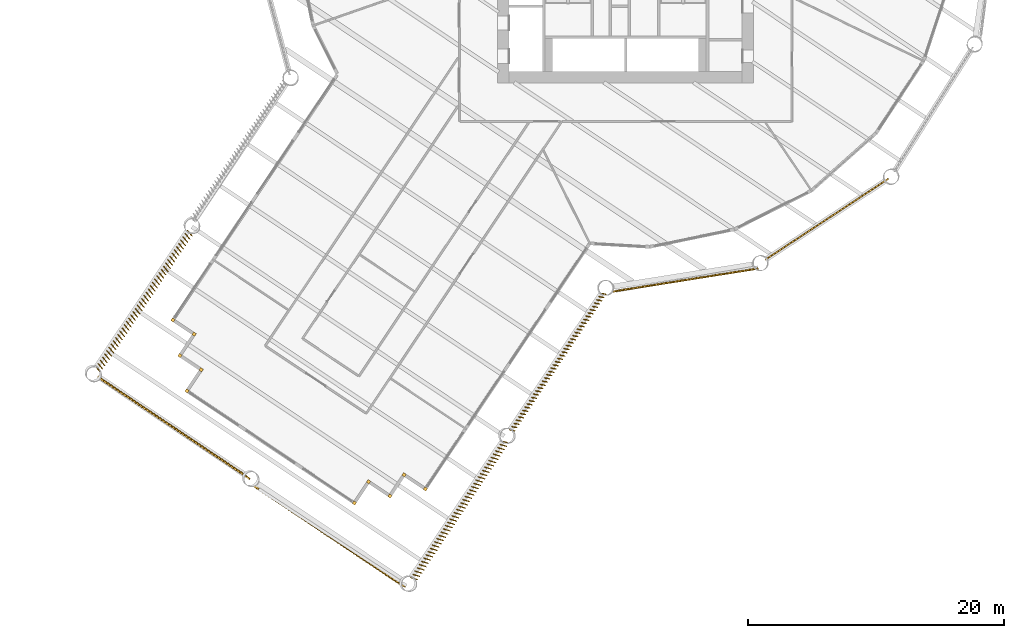
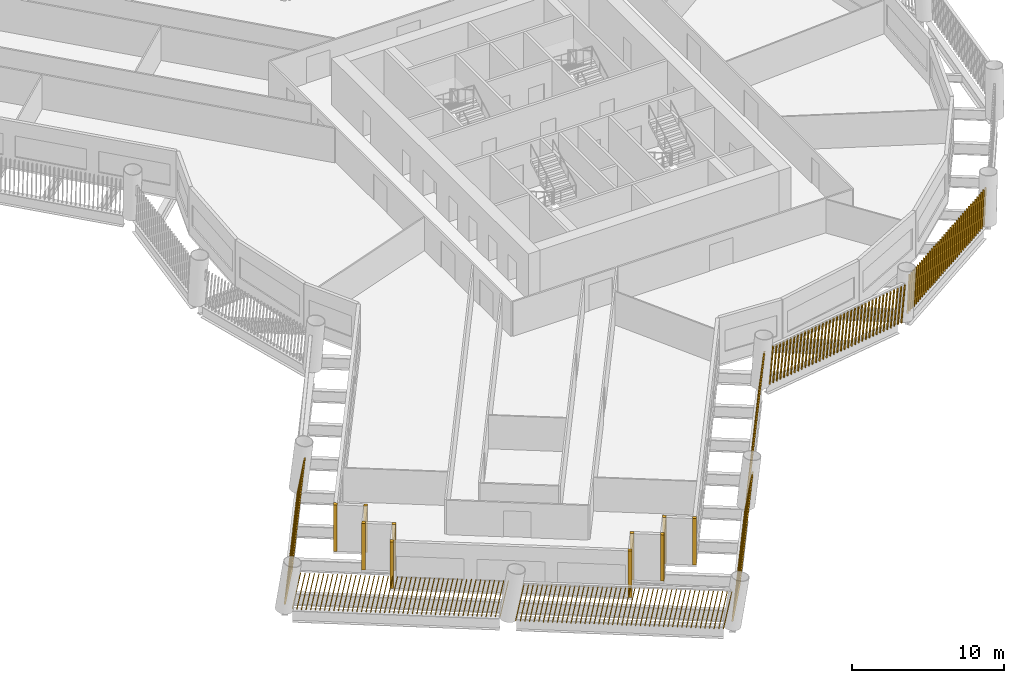
# One storey, part 11 of 15: 17 shading devices.
"""IFC4 building model written with IfcOpenShell, lengths in metres."""

from ifc_helpers import new_model, si_unit, direction, frame, frame_2d, origin, origin_2d, place, context, subcontext, project, spatial, rectangle, composite_profile, extrude, material, type_object, element, save


model = new_model("IFC4")

# Units and contexts
model_context = context("Model", 3, precision=1e-05, world=origin(), true_north=direction((0.0, 1.0)))
body_context = subcontext(model_context, "Body", "Model", "MODEL_VIEW")
ifc_project = project(units=[si_unit("LENGTHUNIT", "METRE"), si_unit("AREAUNIT", "SQUARE_METRE"), si_unit("VOLUMEUNIT", "CUBIC_METRE"), si_unit("PLANEANGLEUNIT", "RADIAN"), si_unit("MASSUNIT", "GRAM", prefix="KILO")], contexts=[model_context])

# Site, building, storey
site_placement = place(None, origin())
site = spatial("IfcSite", under=ifc_project, at=site_placement, CompositionType="ELEMENT")
building_placement = place(site_placement, origin())
building = spatial("IfcBuilding", under=site, at=building_placement, Name="Tarsis Ring Headquarters", CompositionType="ELEMENT")
storey_placement = place(building_placement, frame((0.0, 0.0, 59.5)))
storey = spatial("IfcBuildingStorey", under=building, at=storey_placement, Name="L12", CompositionType="ELEMENT", Elevation=59.5)

# Shading devices
ifc_material = material(Name="Terracotta baguette", Category="masonry")
shading_device_type_1 = type_object("IfcShadingDeviceType", Name="Terracotta baguette screen", PredefinedType="USERDEFINED", material=ifc_material)
shading_device_1_placement = place(storey_placement, frame((-34.21533203125, -24.505859375, 0.0), z_axis=(0.0, 0.0, 1.0), x_axis=(-0.556304047533, -0.830983783375, 0.0)))
element("IfcShadingDevice", 1, at=shading_device_1_placement, inside=storey, type_object=shading_device_type_1, Name="Baguette screen L12-02", ObjectType="Terracotta baguette screen", PredefinedType="USERDEFINED", context=body_context, shape_type="SweptSolid", body=[
    extrude(composite_profile([rectangle(XDim=0.06005859375, YDim=0.1201171875, at=frame_2d((0.030029296875, 0.0))), rectangle(XDim=0.06005859375, YDim=0.1201171875, at=frame_2d((0.335693359375, 0.0))), rectangle(XDim=0.06005859375, YDim=0.1201171875, at=frame_2d((0.6416015625, 0.0))), rectangle(XDim=0.06005859375, YDim=0.1201171875, at=frame_2d((0.947265625, 0.0))), rectangle(XDim=0.06005859375, YDim=0.1201171875, at=frame_2d((1.253173828125, 0.0))), rectangle(XDim=0.06005859375, YDim=0.1201171875, at=frame_2d((1.558837890625, 0.0))), rectangle(XDim=0.06005859375, YDim=0.1201171875, at=frame_2d((1.864501953125, 0.0))), rectangle(XDim=0.06005859375, YDim=0.1201171875, at=frame_2d((2.17041015625, 0.0))), rectangle(XDim=0.06005859375, YDim=0.1201171875, at=frame_2d((2.47607421875, 0.0))), rectangle(XDim=0.06005859375, YDim=0.1201171875, at=frame_2d((2.781982421875, 0.0))), rectangle(XDim=0.06005859375, YDim=0.1201171875, at=frame_2d((3.087646484375, 0.0))), rectangle(XDim=0.06005859375, YDim=0.1201171875, at=frame_2d((3.393310546875, 0.0))), rectangle(XDim=0.06005859375, YDim=0.1201171875, at=frame_2d((3.69921875, 0.0))), rectangle(XDim=0.06005859375, YDim=0.1201171875, at=frame_2d((4.0048828125, 0.0))), rectangle(XDim=0.06005859375, YDim=0.1201171875, at=frame_2d((4.310791015625, 0.0))), rectangle(XDim=0.06005859375, YDim=0.1201171875, at=frame_2d((4.616455078125, 0.0))), rectangle(XDim=0.06005859375, YDim=0.1201171875, at=frame_2d((4.922119140625, 0.0))), rectangle(XDim=0.06005859375, YDim=0.1201171875, at=frame_2d((5.22802734375, 0.0))), rectangle(XDim=0.06005859375, YDim=0.1201171875, at=frame_2d((5.53369140625, 0.0))), rectangle(XDim=0.06005859375, YDim=0.1201171875, at=frame_2d((5.839599609375, 0.0))), rectangle(XDim=0.06005859375, YDim=0.1201171875, at=frame_2d((6.145263671875, 0.0))), rectangle(XDim=0.06005859375, YDim=0.1201171875, at=frame_2d((6.451171875, 0.0))), rectangle(XDim=0.06005859375, YDim=0.1201171875, at=frame_2d((6.7568359375, 0.0))), rectangle(XDim=0.06005859375, YDim=0.1201171875, at=frame_2d((7.0625, 0.0))), rectangle(XDim=0.06005859375, YDim=0.1201171875, at=frame_2d((7.368408203125, 0.0))), rectangle(XDim=0.06005859375, YDim=0.1201171875, at=frame_2d((7.674072265625, 0.0))), rectangle(XDim=0.06005859375, YDim=0.1201171875, at=frame_2d((7.97998046875, 0.0))), rectangle(XDim=0.06005859375, YDim=0.1201171875, at=frame_2d((8.28564453125, 0.0))), rectangle(XDim=0.06005859375, YDim=0.1201171875, at=frame_2d((8.59130859375, 0.0))), rectangle(XDim=0.06005859375, YDim=0.1201171875, at=frame_2d((8.897216796875, 0.0))), rectangle(XDim=0.06005859375, YDim=0.1201171875, at=frame_2d((9.202880859375, 0.0))), rectangle(XDim=0.06005859375, YDim=0.1201171875, at=frame_2d((9.5087890625, 0.0))), rectangle(XDim=0.06005859375, YDim=0.1201171875, at=frame_2d((9.814453125, 0.0))), rectangle(XDim=0.06005859375, YDim=0.1201171875, at=frame_2d((10.1201171875, 0.0))), rectangle(XDim=0.06005859375, YDim=0.1201171875, at=frame_2d((10.426025390625, 0.0))), rectangle(XDim=0.06005859375, YDim=0.1201171875, at=frame_2d((10.731689453125, 0.0))), rectangle(XDim=0.06005859375, YDim=0.1201171875, at=frame_2d((11.03759765625, 0.0))), rectangle(XDim=0.06005859375, YDim=0.1201171875, at=frame_2d((11.34326171875, 0.0))), rectangle(XDim=0.06005859375, YDim=0.1201171875, at=frame_2d((11.64892578125, 0.0))), rectangle(XDim=0.06005859375, YDim=0.1201171875, at=frame_2d((11.954833984375, 0.0))), rectangle(XDim=0.06005859375, YDim=0.1201171875, at=frame_2d((12.260498046875, 0.0))), rectangle(XDim=0.06005859375, YDim=0.1201171875, at=frame_2d((12.56640625, 0.0))), rectangle(XDim=0.06005859375, YDim=0.1201171875, at=frame_2d((12.8720703125, 0.0)))]), origin(), (0.050899099406, 0.160555858663, 0.985713496879), 2.995361328125),
])
shading_device_2_placement = place(storey_placement, frame((-41.25537109375, -35.9208984375, 0.0), z_axis=(0.0, 0.0, 1.0), x_axis=(0.830977443609, -0.556302521008, 0.0)))
element("IfcShadingDevice", 2, at=shading_device_2_placement, inside=storey, type_object=shading_device_type_1, Name="Baguette screen L12-03", ObjectType="Terracotta baguette screen", PredefinedType="USERDEFINED", context=body_context, shape_type="SweptSolid", body=[
    extrude(composite_profile([rectangle(XDim=0.06005859375, YDim=0.1201171875, at=frame_2d((0.030029296875, 0.0))), rectangle(XDim=0.06005859375, YDim=0.1201171875, at=frame_2d((0.33544921875, 0.0))), rectangle(XDim=0.06005859375, YDim=0.1201171875, at=frame_2d((0.640625, 0.0))), rectangle(XDim=0.06005859375, YDim=0.1201171875, at=frame_2d((0.946044921875, 0.0))), rectangle(XDim=0.06005859375, YDim=0.1201171875, at=frame_2d((1.25146484375, 0.0))), rectangle(XDim=0.06005859375, YDim=0.1201171875, at=frame_2d((1.556640625, 0.0))), rectangle(XDim=0.06005859375, YDim=0.1201171875, at=frame_2d((1.862060546875, 0.0))), rectangle(XDim=0.06005859375, YDim=0.1201171875, at=frame_2d((2.16748046875, 0.0))), rectangle(XDim=0.06005859375, YDim=0.1201171875, at=frame_2d((2.47265625, 0.0))), rectangle(XDim=0.06005859375, YDim=0.1201171875, at=frame_2d((2.778076171875, 0.0))), rectangle(XDim=0.06005859375, YDim=0.1201171875, at=frame_2d((3.08349609375, 0.0))), rectangle(XDim=0.06005859375, YDim=0.1201171875, at=frame_2d((3.388671875, 0.0))), rectangle(XDim=0.06005859375, YDim=0.1201171875, at=frame_2d((3.694091796875, 0.0))), rectangle(XDim=0.06005859375, YDim=0.1201171875, at=frame_2d((3.99951171875, 0.0))), rectangle(XDim=0.06005859375, YDim=0.1201171875, at=frame_2d((4.3046875, 0.0))), rectangle(XDim=0.06005859375, YDim=0.1201171875, at=frame_2d((4.610107421875, 0.0))), rectangle(XDim=0.06005859375, YDim=0.1201171875, at=frame_2d((4.91552734375, 0.0))), rectangle(XDim=0.06005859375, YDim=0.1201171875, at=frame_2d((5.220703125, 0.0))), rectangle(XDim=0.06005859375, YDim=0.1201171875, at=frame_2d((5.526123046875, 0.0))), rectangle(XDim=0.06005859375, YDim=0.1201171875, at=frame_2d((5.83154296875, 0.0))), rectangle(XDim=0.06005859375, YDim=0.1201171875, at=frame_2d((6.13671875, 0.0))), rectangle(XDim=0.06005859375, YDim=0.1201171875, at=frame_2d((6.442138671875, 0.0))), rectangle(XDim=0.06005859375, YDim=0.1201171875, at=frame_2d((6.74755859375, 0.0))), rectangle(XDim=0.06005859375, YDim=0.1201171875, at=frame_2d((7.052734375, 0.0))), rectangle(XDim=0.06005859375, YDim=0.1201171875, at=frame_2d((7.358154296875, 0.0))), rectangle(XDim=0.06005859375, YDim=0.1201171875, at=frame_2d((7.66357421875, 0.0))), rectangle(XDim=0.06005859375, YDim=0.1201171875, at=frame_2d((7.96875, 0.0))), rectangle(XDim=0.06005859375, YDim=0.1201171875, at=frame_2d((8.274169921875, 0.0))), rectangle(XDim=0.06005859375, YDim=0.1201171875, at=frame_2d((8.57958984375, 0.0))), rectangle(XDim=0.06005859375, YDim=0.1201171875, at=frame_2d((8.884765625, 0.0))), rectangle(XDim=0.06005859375, YDim=0.1201171875, at=frame_2d((9.190185546875, 0.0))), rectangle(XDim=0.06005859375, YDim=0.1201171875, at=frame_2d((9.49560546875, 0.0))), rectangle(XDim=0.06005859375, YDim=0.1201171875, at=frame_2d((9.80078125, 0.0))), rectangle(XDim=0.06005859375, YDim=0.1201171875, at=frame_2d((10.106201171875, 0.0))), rectangle(XDim=0.06005859375, YDim=0.1201171875, at=frame_2d((10.41162109375, 0.0))), rectangle(XDim=0.06005859375, YDim=0.1201171875, at=frame_2d((10.716796875, 0.0))), rectangle(XDim=0.06005859375, YDim=0.1201171875, at=frame_2d((11.022216796875, 0.0))), rectangle(XDim=0.06005859375, YDim=0.1201171875, at=frame_2d((11.32763671875, 0.0))), rectangle(XDim=0.06005859375, YDim=0.1201171875, at=frame_2d((11.6328125, 0.0))), rectangle(XDim=0.06005859375, YDim=0.1201171875, at=frame_2d((11.938232421875, 0.0))), rectangle(XDim=0.06005859375, YDim=0.1201171875, at=frame_2d((12.24365234375, 0.0))), rectangle(XDim=0.06005859375, YDim=0.1201171875, at=frame_2d((12.548828125, 0.0))), rectangle(XDim=0.06005859375, YDim=0.1201171875, at=frame_2d((12.854248046875, 0.0))), rectangle(XDim=0.06005859375, YDim=0.1201171875, at=frame_2d((13.15966796875, 0.0))), rectangle(XDim=0.06005859375, YDim=0.1201171875, at=frame_2d((13.46484375, 0.0))), rectangle(XDim=0.06005859375, YDim=0.1201171875, at=frame_2d((13.770263671875, 0.0)))]), origin(), (0.184134140034, -0.024822278892, 0.982587641355), 3.0048828125),
])
shading_device_3_placement = place(storey_placement, frame((-29.16552734375, -44.4658203125, 0.0), z_axis=(0.0, 0.0, 1.0), x_axis=(0.83099214493, -0.55629467129, 0.0)))
element("IfcShadingDevice", 3, at=shading_device_3_placement, inside=storey, type_object=shading_device_type_1, Name="Baguette screen L12-04", ObjectType="Terracotta baguette screen", PredefinedType="USERDEFINED", context=body_context, shape_type="SweptSolid", body=[
    extrude(composite_profile([rectangle(XDim=0.06005859375, YDim=0.1201171875, at=frame_2d((0.030029296875, 0.0))), rectangle(XDim=0.06005859375, YDim=0.1201171875, at=frame_2d((0.33544921875, 0.0))), rectangle(XDim=0.06005859375, YDim=0.1201171875, at=frame_2d((0.640625, 0.0))), rectangle(XDim=0.06005859375, YDim=0.1201171875, at=frame_2d((0.946044921875, 0.0))), rectangle(XDim=0.06005859375, YDim=0.1201171875, at=frame_2d((1.25146484375, 0.0))), rectangle(XDim=0.06005859375, YDim=0.1201171875, at=frame_2d((1.556640625, 0.0))), rectangle(XDim=0.06005859375, YDim=0.1201171875, at=frame_2d((1.862060546875, 0.0))), rectangle(XDim=0.06005859375, YDim=0.1201171875, at=frame_2d((2.16748046875, 0.0))), rectangle(XDim=0.06005859375, YDim=0.1201171875, at=frame_2d((2.47265625, 0.0))), rectangle(XDim=0.06005859375, YDim=0.1201171875, at=frame_2d((2.778076171875, 0.0))), rectangle(XDim=0.06005859375, YDim=0.1201171875, at=frame_2d((3.08349609375, 0.0))), rectangle(XDim=0.06005859375, YDim=0.1201171875, at=frame_2d((3.388671875, 0.0))), rectangle(XDim=0.06005859375, YDim=0.1201171875, at=frame_2d((3.694091796875, 0.0))), rectangle(XDim=0.06005859375, YDim=0.1201171875, at=frame_2d((3.99951171875, 0.0))), rectangle(XDim=0.06005859375, YDim=0.1201171875, at=frame_2d((4.3046875, 0.0))), rectangle(XDim=0.06005859375, YDim=0.1201171875, at=frame_2d((4.610107421875, 0.0))), rectangle(XDim=0.06005859375, YDim=0.1201171875, at=frame_2d((4.91552734375, 0.0))), rectangle(XDim=0.06005859375, YDim=0.1201171875, at=frame_2d((5.220703125, 0.0))), rectangle(XDim=0.06005859375, YDim=0.1201171875, at=frame_2d((5.526123046875, 0.0))), rectangle(XDim=0.06005859375, YDim=0.1201171875, at=frame_2d((5.83154296875, 0.0))), rectangle(XDim=0.06005859375, YDim=0.1201171875, at=frame_2d((6.13671875, 0.0))), rectangle(XDim=0.06005859375, YDim=0.1201171875, at=frame_2d((6.442138671875, 0.0))), rectangle(XDim=0.06005859375, YDim=0.1201171875, at=frame_2d((6.74755859375, 0.0))), rectangle(XDim=0.06005859375, YDim=0.1201171875, at=frame_2d((7.052734375, 0.0))), rectangle(XDim=0.06005859375, YDim=0.1201171875, at=frame_2d((7.358154296875, 0.0))), rectangle(XDim=0.06005859375, YDim=0.1201171875, at=frame_2d((7.66357421875, 0.0))), rectangle(XDim=0.06005859375, YDim=0.1201171875, at=frame_2d((7.96875, 0.0))), rectangle(XDim=0.06005859375, YDim=0.1201171875, at=frame_2d((8.274169921875, 0.0))), rectangle(XDim=0.06005859375, YDim=0.1201171875, at=frame_2d((8.57958984375, 0.0))), rectangle(XDim=0.06005859375, YDim=0.1201171875, at=frame_2d((8.884765625, 0.0))), rectangle(XDim=0.06005859375, YDim=0.1201171875, at=frame_2d((9.190185546875, 0.0))), rectangle(XDim=0.06005859375, YDim=0.1201171875, at=frame_2d((9.49560546875, 0.0))), rectangle(XDim=0.06005859375, YDim=0.1201171875, at=frame_2d((9.80078125, 0.0))), rectangle(XDim=0.06005859375, YDim=0.1201171875, at=frame_2d((10.106201171875, 0.0))), rectangle(XDim=0.06005859375, YDim=0.1201171875, at=frame_2d((10.41162109375, 0.0))), rectangle(XDim=0.06005859375, YDim=0.1201171875, at=frame_2d((10.716796875, 0.0))), rectangle(XDim=0.06005859375, YDim=0.1201171875, at=frame_2d((11.022216796875, 0.0))), rectangle(XDim=0.06005859375, YDim=0.1201171875, at=frame_2d((11.32763671875, 0.0))), rectangle(XDim=0.06005859375, YDim=0.1201171875, at=frame_2d((11.6328125, 0.0))), rectangle(XDim=0.06005859375, YDim=0.1201171875, at=frame_2d((11.938232421875, 0.0))), rectangle(XDim=0.06005859375, YDim=0.1201171875, at=frame_2d((12.24365234375, 0.0))), rectangle(XDim=0.06005859375, YDim=0.1201171875, at=frame_2d((12.548828125, 0.0))), rectangle(XDim=0.06005859375, YDim=0.1201171875, at=frame_2d((12.854248046875, 0.0))), rectangle(XDim=0.06005859375, YDim=0.1201171875, at=frame_2d((13.15966796875, 0.0))), rectangle(XDim=0.06005859375, YDim=0.1201171875, at=frame_2d((13.46484375, 0.0))), rectangle(XDim=0.06005859375, YDim=0.1201171875, at=frame_2d((13.770263671875, 0.0)))]), origin(), (0.185127609381, 0.026750694762, 0.982350328841), 3.005615234375),
])
shading_device_4_placement = place(storey_placement, frame((-16.795654296875, -51.693603515625, 0.0), z_axis=(0.0, 0.0, 1.0), x_axis=(0.556304047533, 0.830983783375, 0.0)))
element("IfcShadingDevice", 4, at=shading_device_4_placement, inside=storey, type_object=shading_device_type_1, Name="Baguette screen L12-05", ObjectType="Terracotta baguette screen", PredefinedType="USERDEFINED", context=body_context, shape_type="SweptSolid", body=[
    extrude(composite_profile([rectangle(XDim=0.06005859375, YDim=0.1201171875, at=frame_2d((0.030029296875, 0.0))), rectangle(XDim=0.06005859375, YDim=0.1201171875, at=frame_2d((0.335693359375, 0.0))), rectangle(XDim=0.06005859375, YDim=0.1201171875, at=frame_2d((0.6416015625, 0.0))), rectangle(XDim=0.06005859375, YDim=0.1201171875, at=frame_2d((0.947265625, 0.0))), rectangle(XDim=0.06005859375, YDim=0.1201171875, at=frame_2d((1.253173828125, 0.0))), rectangle(XDim=0.06005859375, YDim=0.1201171875, at=frame_2d((1.558837890625, 0.0))), rectangle(XDim=0.06005859375, YDim=0.1201171875, at=frame_2d((1.864501953125, 0.0))), rectangle(XDim=0.06005859375, YDim=0.1201171875, at=frame_2d((2.17041015625, 0.0))), rectangle(XDim=0.06005859375, YDim=0.1201171875, at=frame_2d((2.47607421875, 0.0))), rectangle(XDim=0.06005859375, YDim=0.1201171875, at=frame_2d((2.781982421875, 0.0))), rectangle(XDim=0.06005859375, YDim=0.1201171875, at=frame_2d((3.087646484375, 0.0))), rectangle(XDim=0.06005859375, YDim=0.1201171875, at=frame_2d((3.393310546875, 0.0))), rectangle(XDim=0.06005859375, YDim=0.1201171875, at=frame_2d((3.69921875, 0.0))), rectangle(XDim=0.06005859375, YDim=0.1201171875, at=frame_2d((4.0048828125, 0.0))), rectangle(XDim=0.06005859375, YDim=0.1201171875, at=frame_2d((4.310791015625, 0.0))), rectangle(XDim=0.06005859375, YDim=0.1201171875, at=frame_2d((4.616455078125, 0.0))), rectangle(XDim=0.06005859375, YDim=0.1201171875, at=frame_2d((4.922119140625, 0.0))), rectangle(XDim=0.06005859375, YDim=0.1201171875, at=frame_2d((5.22802734375, 0.0))), rectangle(XDim=0.06005859375, YDim=0.1201171875, at=frame_2d((5.53369140625, 0.0))), rectangle(XDim=0.06005859375, YDim=0.1201171875, at=frame_2d((5.839599609375, 0.0))), rectangle(XDim=0.06005859375, YDim=0.1201171875, at=frame_2d((6.145263671875, 0.0))), rectangle(XDim=0.06005859375, YDim=0.1201171875, at=frame_2d((6.451171875, 0.0))), rectangle(XDim=0.06005859375, YDim=0.1201171875, at=frame_2d((6.7568359375, 0.0))), rectangle(XDim=0.06005859375, YDim=0.1201171875, at=frame_2d((7.0625, 0.0))), rectangle(XDim=0.06005859375, YDim=0.1201171875, at=frame_2d((7.368408203125, 0.0))), rectangle(XDim=0.06005859375, YDim=0.1201171875, at=frame_2d((7.674072265625, 0.0))), rectangle(XDim=0.06005859375, YDim=0.1201171875, at=frame_2d((7.97998046875, 0.0))), rectangle(XDim=0.06005859375, YDim=0.1201171875, at=frame_2d((8.28564453125, 0.0))), rectangle(XDim=0.06005859375, YDim=0.1201171875, at=frame_2d((8.59130859375, 0.0))), rectangle(XDim=0.06005859375, YDim=0.1201171875, at=frame_2d((8.897216796875, 0.0))), rectangle(XDim=0.06005859375, YDim=0.1201171875, at=frame_2d((9.202880859375, 0.0))), rectangle(XDim=0.06005859375, YDim=0.1201171875, at=frame_2d((9.5087890625, 0.0))), rectangle(XDim=0.06005859375, YDim=0.1201171875, at=frame_2d((9.814453125, 0.0))), rectangle(XDim=0.06005859375, YDim=0.1201171875, at=frame_2d((10.1201171875, 0.0))), rectangle(XDim=0.06005859375, YDim=0.1201171875, at=frame_2d((10.426025390625, 0.0))), rectangle(XDim=0.06005859375, YDim=0.1201171875, at=frame_2d((10.731689453125, 0.0))), rectangle(XDim=0.06005859375, YDim=0.1201171875, at=frame_2d((11.03759765625, 0.0))), rectangle(XDim=0.06005859375, YDim=0.1201171875, at=frame_2d((11.34326171875, 0.0))), rectangle(XDim=0.06005859375, YDim=0.1201171875, at=frame_2d((11.64892578125, 0.0))), rectangle(XDim=0.06005859375, YDim=0.1201171875, at=frame_2d((11.954833984375, 0.0))), rectangle(XDim=0.06005859375, YDim=0.1201171875, at=frame_2d((12.260498046875, 0.0))), rectangle(XDim=0.06005859375, YDim=0.1201171875, at=frame_2d((12.56640625, 0.0))), rectangle(XDim=0.06005859375, YDim=0.1201171875, at=frame_2d((12.8720703125, 0.0)))]), origin(), (0.052580230808, -0.160013309578, 0.985713477683), 2.995361328125),
])
shading_device_5_placement = place(storey_placement, frame((-9.06201171875, -40.14111328125, 0.0), z_axis=(0.0, 0.0, 1.0), x_axis=(0.556304047533, 0.830983783375, 0.0)))
element("IfcShadingDevice", 5, at=shading_device_5_placement, inside=storey, type_object=shading_device_type_1, Name="Baguette screen L12-06", ObjectType="Terracotta baguette screen", PredefinedType="USERDEFINED", context=body_context, shape_type="SweptSolid", body=[
    extrude(composite_profile([rectangle(XDim=0.06005859375, YDim=0.1201171875, at=frame_2d((0.030029296875, 0.0))), rectangle(XDim=0.06005859375, YDim=0.1201171875, at=frame_2d((0.335693359375, 0.0))), rectangle(XDim=0.06005859375, YDim=0.1201171875, at=frame_2d((0.6416015625, 0.0))), rectangle(XDim=0.06005859375, YDim=0.1201171875, at=frame_2d((0.947265625, 0.0))), rectangle(XDim=0.06005859375, YDim=0.1201171875, at=frame_2d((1.253173828125, 0.0))), rectangle(XDim=0.06005859375, YDim=0.1201171875, at=frame_2d((1.558837890625, 0.0))), rectangle(XDim=0.06005859375, YDim=0.1201171875, at=frame_2d((1.864501953125, 0.0))), rectangle(XDim=0.06005859375, YDim=0.1201171875, at=frame_2d((2.17041015625, 0.0))), rectangle(XDim=0.06005859375, YDim=0.1201171875, at=frame_2d((2.47607421875, 0.0))), rectangle(XDim=0.06005859375, YDim=0.1201171875, at=frame_2d((2.781982421875, 0.0))), rectangle(XDim=0.06005859375, YDim=0.1201171875, at=frame_2d((3.087646484375, 0.0))), rectangle(XDim=0.06005859375, YDim=0.1201171875, at=frame_2d((3.393310546875, 0.0))), rectangle(XDim=0.06005859375, YDim=0.1201171875, at=frame_2d((3.69921875, 0.0))), rectangle(XDim=0.06005859375, YDim=0.1201171875, at=frame_2d((4.0048828125, 0.0))), rectangle(XDim=0.06005859375, YDim=0.1201171875, at=frame_2d((4.310791015625, 0.0))), rectangle(XDim=0.06005859375, YDim=0.1201171875, at=frame_2d((4.616455078125, 0.0))), rectangle(XDim=0.06005859375, YDim=0.1201171875, at=frame_2d((4.922119140625, 0.0))), rectangle(XDim=0.06005859375, YDim=0.1201171875, at=frame_2d((5.22802734375, 0.0))), rectangle(XDim=0.06005859375, YDim=0.1201171875, at=frame_2d((5.53369140625, 0.0))), rectangle(XDim=0.06005859375, YDim=0.1201171875, at=frame_2d((5.839599609375, 0.0))), rectangle(XDim=0.06005859375, YDim=0.1201171875, at=frame_2d((6.145263671875, 0.0))), rectangle(XDim=0.06005859375, YDim=0.1201171875, at=frame_2d((6.451171875, 0.0))), rectangle(XDim=0.06005859375, YDim=0.1201171875, at=frame_2d((6.7568359375, 0.0))), rectangle(XDim=0.06005859375, YDim=0.1201171875, at=frame_2d((7.0625, 0.0))), rectangle(XDim=0.06005859375, YDim=0.1201171875, at=frame_2d((7.368408203125, 0.0))), rectangle(XDim=0.06005859375, YDim=0.1201171875, at=frame_2d((7.674072265625, 0.0))), rectangle(XDim=0.06005859375, YDim=0.1201171875, at=frame_2d((7.97998046875, 0.0))), rectangle(XDim=0.06005859375, YDim=0.1201171875, at=frame_2d((8.28564453125, 0.0))), rectangle(XDim=0.06005859375, YDim=0.1201171875, at=frame_2d((8.59130859375, 0.0))), rectangle(XDim=0.06005859375, YDim=0.1201171875, at=frame_2d((8.897216796875, 0.0))), rectangle(XDim=0.06005859375, YDim=0.1201171875, at=frame_2d((9.202880859375, 0.0))), rectangle(XDim=0.06005859375, YDim=0.1201171875, at=frame_2d((9.5087890625, 0.0))), rectangle(XDim=0.06005859375, YDim=0.1201171875, at=frame_2d((9.814453125, 0.0))), rectangle(XDim=0.06005859375, YDim=0.1201171875, at=frame_2d((10.1201171875, 0.0))), rectangle(XDim=0.06005859375, YDim=0.1201171875, at=frame_2d((10.426025390625, 0.0))), rectangle(XDim=0.06005859375, YDim=0.1201171875, at=frame_2d((10.731689453125, 0.0))), rectangle(XDim=0.06005859375, YDim=0.1201171875, at=frame_2d((11.03759765625, 0.0))), rectangle(XDim=0.06005859375, YDim=0.1201171875, at=frame_2d((11.34326171875, 0.0))), rectangle(XDim=0.06005859375, YDim=0.1201171875, at=frame_2d((11.64892578125, 0.0))), rectangle(XDim=0.06005859375, YDim=0.1201171875, at=frame_2d((11.954833984375, 0.0))), rectangle(XDim=0.06005859375, YDim=0.1201171875, at=frame_2d((12.260498046875, 0.0))), rectangle(XDim=0.06005859375, YDim=0.1201171875, at=frame_2d((12.56640625, 0.0))), rectangle(XDim=0.06005859375, YDim=0.1201171875, at=frame_2d((12.8720703125, 0.0)))]), origin(), (0.052674714132, -0.112155636587, 0.992293549144), 2.9755859375),
])
shading_device_6_placement = place(storey_placement, frame((-1.0537109375, -29.296142578125, 0.0), z_axis=(0.0, 0.0, 1.0), x_axis=(0.987693710119, 0.156443981421, 0.0)))
element("IfcShadingDevice", 6, at=shading_device_6_placement, inside=storey, type_object=shading_device_type_1, Name="Baguette screen L12-07", ObjectType="Terracotta baguette screen", PredefinedType="USERDEFINED", context=body_context, shape_type="SweptSolid", body=[
    extrude(composite_profile([rectangle(XDim=0.06005859375, YDim=0.1201171875, at=frame_2d((0.030029296875, 0.0))), rectangle(XDim=0.06005859375, YDim=0.1201171875, at=frame_2d((0.33251953125, 0.0))), rectangle(XDim=0.06005859375, YDim=0.1201171875, at=frame_2d((0.634765625, 0.0))), rectangle(XDim=0.06005859375, YDim=0.1201171875, at=frame_2d((0.937255859375, 0.0))), rectangle(XDim=0.06005859375, YDim=0.1201171875, at=frame_2d((1.239501953125, 0.0))), rectangle(XDim=0.06005859375, YDim=0.1201171875, at=frame_2d((1.5419921875, 0.0))), rectangle(XDim=0.06005859375, YDim=0.1201171875, at=frame_2d((1.844482421875, 0.0))), rectangle(XDim=0.06005859375, YDim=0.1201171875, at=frame_2d((2.146728515625, 0.0))), rectangle(XDim=0.06005859375, YDim=0.1201171875, at=frame_2d((2.44921875, 0.0))), rectangle(XDim=0.06005859375, YDim=0.1201171875, at=frame_2d((2.751708984375, 0.0))), rectangle(XDim=0.06005859375, YDim=0.1201171875, at=frame_2d((3.053955078125, 0.0))), rectangle(XDim=0.06005859375, YDim=0.1201171875, at=frame_2d((3.3564453125, 0.0))), rectangle(XDim=0.06005859375, YDim=0.1201171875, at=frame_2d((3.65869140625, 0.0))), rectangle(XDim=0.06005859375, YDim=0.1201171875, at=frame_2d((3.961181640625, 0.0))), rectangle(XDim=0.06005859375, YDim=0.1201171875, at=frame_2d((4.263671875, 0.0))), rectangle(XDim=0.06005859375, YDim=0.1201171875, at=frame_2d((4.56591796875, 0.0))), rectangle(XDim=0.06005859375, YDim=0.1201171875, at=frame_2d((4.868408203125, 0.0))), rectangle(XDim=0.06005859375, YDim=0.1201171875, at=frame_2d((5.1708984375, 0.0))), rectangle(XDim=0.06005859375, YDim=0.1201171875, at=frame_2d((5.47314453125, 0.0))), rectangle(XDim=0.06005859375, YDim=0.1201171875, at=frame_2d((5.775634765625, 0.0))), rectangle(XDim=0.06005859375, YDim=0.1201171875, at=frame_2d((6.077880859375, 0.0))), rectangle(XDim=0.06005859375, YDim=0.1201171875, at=frame_2d((6.38037109375, 0.0))), rectangle(XDim=0.06005859375, YDim=0.1201171875, at=frame_2d((6.682861328125, 0.0))), rectangle(XDim=0.06005859375, YDim=0.1201171875, at=frame_2d((6.985107421875, 0.0))), rectangle(XDim=0.06005859375, YDim=0.1201171875, at=frame_2d((7.28759765625, 0.0))), rectangle(XDim=0.06005859375, YDim=0.1201171875, at=frame_2d((7.590087890625, 0.0))), rectangle(XDim=0.06005859375, YDim=0.1201171875, at=frame_2d((7.892333984375, 0.0))), rectangle(XDim=0.06005859375, YDim=0.1201171875, at=frame_2d((8.19482421875, 0.0))), rectangle(XDim=0.06005859375, YDim=0.1201171875, at=frame_2d((8.4970703125, 0.0))), rectangle(XDim=0.06005859375, YDim=0.1201171875, at=frame_2d((8.799560546875, 0.0))), rectangle(XDim=0.06005859375, YDim=0.1201171875, at=frame_2d((9.10205078125, 0.0))), rectangle(XDim=0.06005859375, YDim=0.1201171875, at=frame_2d((9.404296875, 0.0))), rectangle(XDim=0.06005859375, YDim=0.1201171875, at=frame_2d((9.706787109375, 0.0))), rectangle(XDim=0.06005859375, YDim=0.1201171875, at=frame_2d((10.00927734375, 0.0))), rectangle(XDim=0.06005859375, YDim=0.1201171875, at=frame_2d((10.3115234375, 0.0))), rectangle(XDim=0.06005859375, YDim=0.1201171875, at=frame_2d((10.614013671875, 0.0))), rectangle(XDim=0.06005859375, YDim=0.1201171875, at=frame_2d((10.916259765625, 0.0))), rectangle(XDim=0.06005859375, YDim=0.1201171875, at=frame_2d((11.21875, 0.0)))]), origin(), (0.101510559148, 0.000532911425, 0.994834319064), 2.968017578125),
])
shading_device_7_placement = place(storey_placement, frame((10.909423828125, -26.812744140625, 0.0), z_axis=(0.0, 0.0, 1.0), x_axis=(0.835395233754, 0.549659243825, 0.0)))
element("IfcShadingDevice", 7, at=shading_device_7_placement, inside=storey, type_object=shading_device_type_1, Name="Baguette screen L12-08", ObjectType="Terracotta baguette screen", PredefinedType="USERDEFINED", context=body_context, shape_type="SweptSolid", body=[
    extrude(composite_profile([rectangle(XDim=0.06005859375, YDim=0.1201171875, at=frame_2d((0.030029296875, 0.0))), rectangle(XDim=0.06005859375, YDim=0.1201171875, at=frame_2d((0.33251953125, 0.0))), rectangle(XDim=0.06005859375, YDim=0.1201171875, at=frame_2d((0.634765625, 0.0))), rectangle(XDim=0.06005859375, YDim=0.1201171875, at=frame_2d((0.937255859375, 0.0))), rectangle(XDim=0.06005859375, YDim=0.1201171875, at=frame_2d((1.239501953125, 0.0))), rectangle(XDim=0.06005859375, YDim=0.1201171875, at=frame_2d((1.5419921875, 0.0))), rectangle(XDim=0.06005859375, YDim=0.1201171875, at=frame_2d((1.844482421875, 0.0))), rectangle(XDim=0.06005859375, YDim=0.1201171875, at=frame_2d((2.146728515625, 0.0))), rectangle(XDim=0.06005859375, YDim=0.1201171875, at=frame_2d((2.44921875, 0.0))), rectangle(XDim=0.06005859375, YDim=0.1201171875, at=frame_2d((2.751708984375, 0.0))), rectangle(XDim=0.06005859375, YDim=0.1201171875, at=frame_2d((3.053955078125, 0.0))), rectangle(XDim=0.06005859375, YDim=0.1201171875, at=frame_2d((3.3564453125, 0.0))), rectangle(XDim=0.06005859375, YDim=0.1201171875, at=frame_2d((3.65869140625, 0.0))), rectangle(XDim=0.06005859375, YDim=0.1201171875, at=frame_2d((3.961181640625, 0.0))), rectangle(XDim=0.06005859375, YDim=0.1201171875, at=frame_2d((4.263671875, 0.0))), rectangle(XDim=0.06005859375, YDim=0.1201171875, at=frame_2d((4.56591796875, 0.0))), rectangle(XDim=0.06005859375, YDim=0.1201171875, at=frame_2d((4.868408203125, 0.0))), rectangle(XDim=0.06005859375, YDim=0.1201171875, at=frame_2d((5.1708984375, 0.0))), rectangle(XDim=0.06005859375, YDim=0.1201171875, at=frame_2d((5.47314453125, 0.0))), rectangle(XDim=0.06005859375, YDim=0.1201171875, at=frame_2d((5.775634765625, 0.0))), rectangle(XDim=0.06005859375, YDim=0.1201171875, at=frame_2d((6.077880859375, 0.0))), rectangle(XDim=0.06005859375, YDim=0.1201171875, at=frame_2d((6.38037109375, 0.0))), rectangle(XDim=0.06005859375, YDim=0.1201171875, at=frame_2d((6.682861328125, 0.0))), rectangle(XDim=0.06005859375, YDim=0.1201171875, at=frame_2d((6.985107421875, 0.0))), rectangle(XDim=0.06005859375, YDim=0.1201171875, at=frame_2d((7.28759765625, 0.0))), rectangle(XDim=0.06005859375, YDim=0.1201171875, at=frame_2d((7.590087890625, 0.0))), rectangle(XDim=0.06005859375, YDim=0.1201171875, at=frame_2d((7.892333984375, 0.0))), rectangle(XDim=0.06005859375, YDim=0.1201171875, at=frame_2d((8.19482421875, 0.0))), rectangle(XDim=0.06005859375, YDim=0.1201171875, at=frame_2d((8.4970703125, 0.0))), rectangle(XDim=0.06005859375, YDim=0.1201171875, at=frame_2d((8.799560546875, 0.0))), rectangle(XDim=0.06005859375, YDim=0.1201171875, at=frame_2d((9.10205078125, 0.0))), rectangle(XDim=0.06005859375, YDim=0.1201171875, at=frame_2d((9.404296875, 0.0))), rectangle(XDim=0.06005859375, YDim=0.1201171875, at=frame_2d((9.706787109375, 0.0))), rectangle(XDim=0.06005859375, YDim=0.1201171875, at=frame_2d((10.00927734375, 0.0))), rectangle(XDim=0.06005859375, YDim=0.1201171875, at=frame_2d((10.3115234375, 0.0))), rectangle(XDim=0.06005859375, YDim=0.1201171875, at=frame_2d((10.614013671875, 0.0))), rectangle(XDim=0.06005859375, YDim=0.1201171875, at=frame_2d((10.916259765625, 0.0))), rectangle(XDim=0.06005859375, YDim=0.1201171875, at=frame_2d((11.21875, 0.0)))]), origin(), (0.100200923769, 0.000525448334, 0.99496708427), 2.967529296875),
])
shading_device_type_2 = type_object("IfcShadingDeviceType", Name="Terracotta corner baguette 250x250", PredefinedType="USERDEFINED", material=ifc_material)
for number, where, z_axis, x_axis, name in (
    (8, (-35.387939453125, -31.515380859375, 0.0), (0.0, 0.0, 1.0), (-0.5562956155, -0.830984469274, 0.0), "Corner baguette L12-07"),
    (9, (-33.72607421875, -32.6279296875, 0.0), (0.0, 0.0, 1.0), (0.830984527529, -0.55629552848, 0.0), "Corner baguette L12-08"),
    (10, (-34.838623046875, -34.2900390625, 0.0), (0.0, 0.0, 1.0), (-0.55629552848, -0.830984527529, 0.0), "Corner baguette L12-09"),
    (11, (-33.1767578125, -35.402587890625, 0.0), (0.0, 0.0, 1.0), (0.830984527529, -0.55629552848, 0.0), "Corner baguette L12-10"),
    (12, (-34.289306640625, -37.064453125, 0.0), (0.0, 0.0, 1.0), (-0.556295630004, -0.830984459565, 0.0), "Corner baguette L12-11"),
    (13, (-21.201171875, -45.826171875, 0.0), (0.0, 0.0, 1.0), (0.830984508111, -0.556295557487, 0.0), "Corner baguette L12-12"),
    (14, (-20.088623046875, -44.164306640625, 0.0), (0.0, 0.0, 1.0), (0.55629552848, 0.830984527529, 0.0), "Corner baguette L12-13"),
    (15, (-18.4267578125, -45.27685546875, 0.0), (0.0, 0.0, 1.0), (0.830984304218, -0.556295862058, 0.0), "Corner baguette L12-14"),
    (16, (-17.314208984375, -43.61474609375, 0.0), (0.0, 0.0, 1.0), (0.556295630004, 0.830984459565, 0.0), "Corner baguette L12-15"),
    (17, (-15.652099609375, -44.7275390625, 0.0), (0.0, 0.0, 1.0), (0.830984148871, -0.556296094113, 0.0), "Corner baguette L12-16"),
):
    element("IfcShadingDevice", number, at=place(storey_placement, frame(where, z_axis=z_axis, x_axis=x_axis)), inside=storey, type_object=shading_device_type_2, Name=name, ObjectType="Terracotta corner baguette", PredefinedType="USERDEFINED", context=body_context, shape_type="SweptSolid", body=[
        extrude(rectangle(XDim=0.25, YDim=0.25, at=origin_2d()), origin(), (0.0, 0.0, 1.0), 3.739990234375),
    ])

save(model, "model.ifc")
